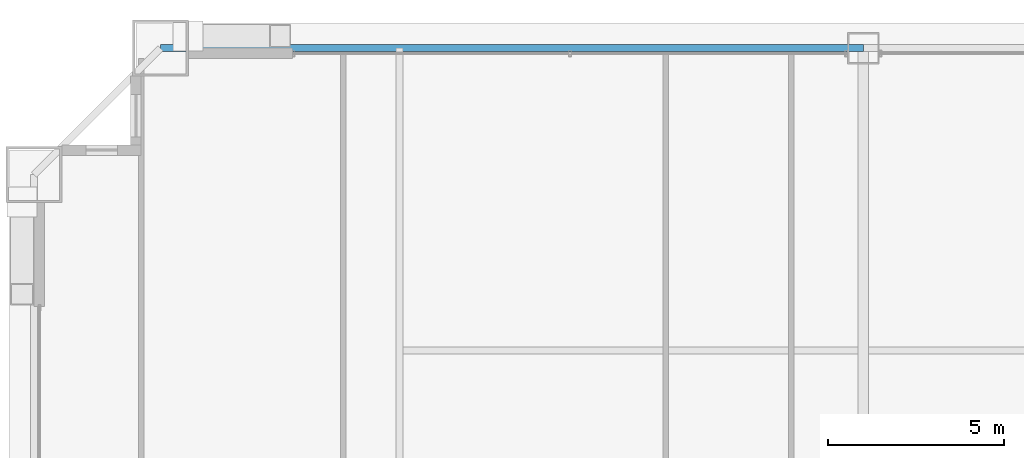
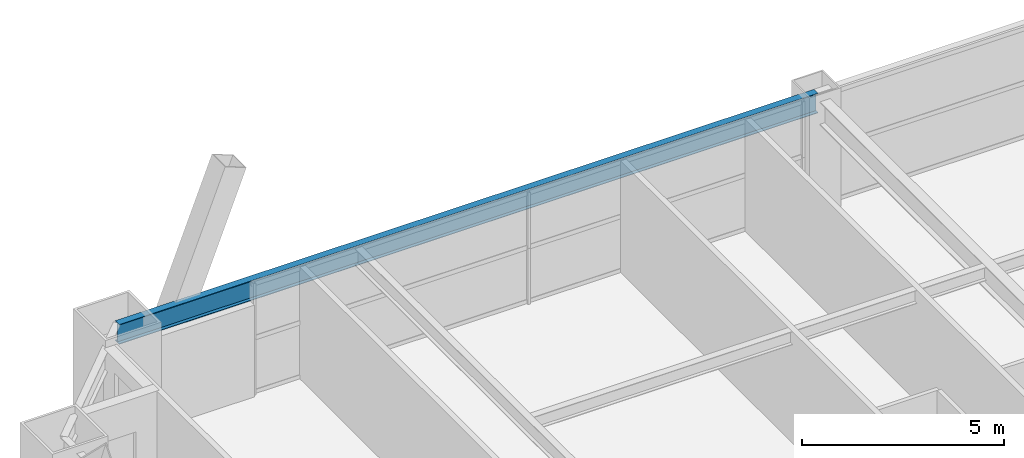
# One storey, part 26 of 41: 1 beam.
"""IFC4 building model written with IfcOpenShell, lengths in metres."""

from ifc_helpers import new_model, si_unit, direction, frame, origin, origin_2d, place, context, subcontext, project, spatial, i_section, extrude, source, transform, mapped, material, material_profile, profile_set, type_object, element, save


model = new_model("IFC4")

# Units and contexts
model_context = context("Model", 3, precision=1e-05, world=origin(), true_north=direction((0.0, 1.0)))
body_context = subcontext(model_context, "Body", "Model", "MODEL_VIEW")
ifc_project = project(units=[si_unit("LENGTHUNIT", "METRE"), si_unit("AREAUNIT", "SQUARE_METRE"), si_unit("VOLUMEUNIT", "CUBIC_METRE"), si_unit("PLANEANGLEUNIT", "RADIAN"), si_unit("MASSUNIT", "GRAM", prefix="KILO"), si_unit("THERMODYNAMICTEMPERATUREUNIT", "KELVIN"), si_unit("POWERUNIT", "WATT")], contexts=[model_context])

# Site, building, storey
site_placement = place(None, origin())
site = spatial("IfcSite", under=ifc_project, at=site_placement, CompositionType="ELEMENT")
building_placement = place(site_placement, origin())
building = spatial("IfcBuilding", under=site, at=building_placement, Name="Yuzanri Waterfront Tower", CompositionType="ELEMENT")
storey_placement = place(building_placement, frame((0.0, 0.0, 115.39990234375)))
storey = spatial("IfcBuildingStorey", under=building, at=storey_placement, Name="L30", CompositionType="ELEMENT", Elevation=115.39990234375)

# Beam
ifc_material = material(Name="Steel Q355B", Category="steel")
ifc_material_profile = material_profile(ifc_material, i_section(OverallWidth=0.199951171875, OverallDepth=0.60009765625, WebThickness=0.010986328125, FlangeThickness=0.01708984375, at=origin_2d()), Name="HN 600x200x11x17")
ifc_profile_set = profile_set([ifc_material_profile], Name="Steel Q355B")
beam_type = type_object("IfcBeamType", Name="Perimeter Spandrel Q355B HN 600x200", PredefinedType="SPANDREL", material=ifc_profile_set)
shared_shape = source(origin(), body_context, "Body", "SweptSolid", [
    extrude(i_section(OverallWidth=0.199951171875, OverallDepth=0.60009765625, WebThickness=0.010986328125, FlangeThickness=0.01708984375, at=origin_2d()), origin(), (0.0, 0.0, 1.0), 20.0),
])
beam_placement = place(storey_placement, frame((37.0, 49.39990234375, 3.080078125), z_axis=(-1.0, 0.0, 0.0), x_axis=(0.0, -1.0, 0.0)))
element("IfcBeam", 1, at=beam_placement, inside=storey, type_object=beam_type, Name="L30 Perimeter Spandrel N2-N1", PredefinedType="SPANDREL", context=body_context, shape_type="MappedRepresentation", body=[
    mapped(shared_shape, transform((0.0, 0.0, 0.0), scale=1.0)),
])

save(model, "model.ifc")
